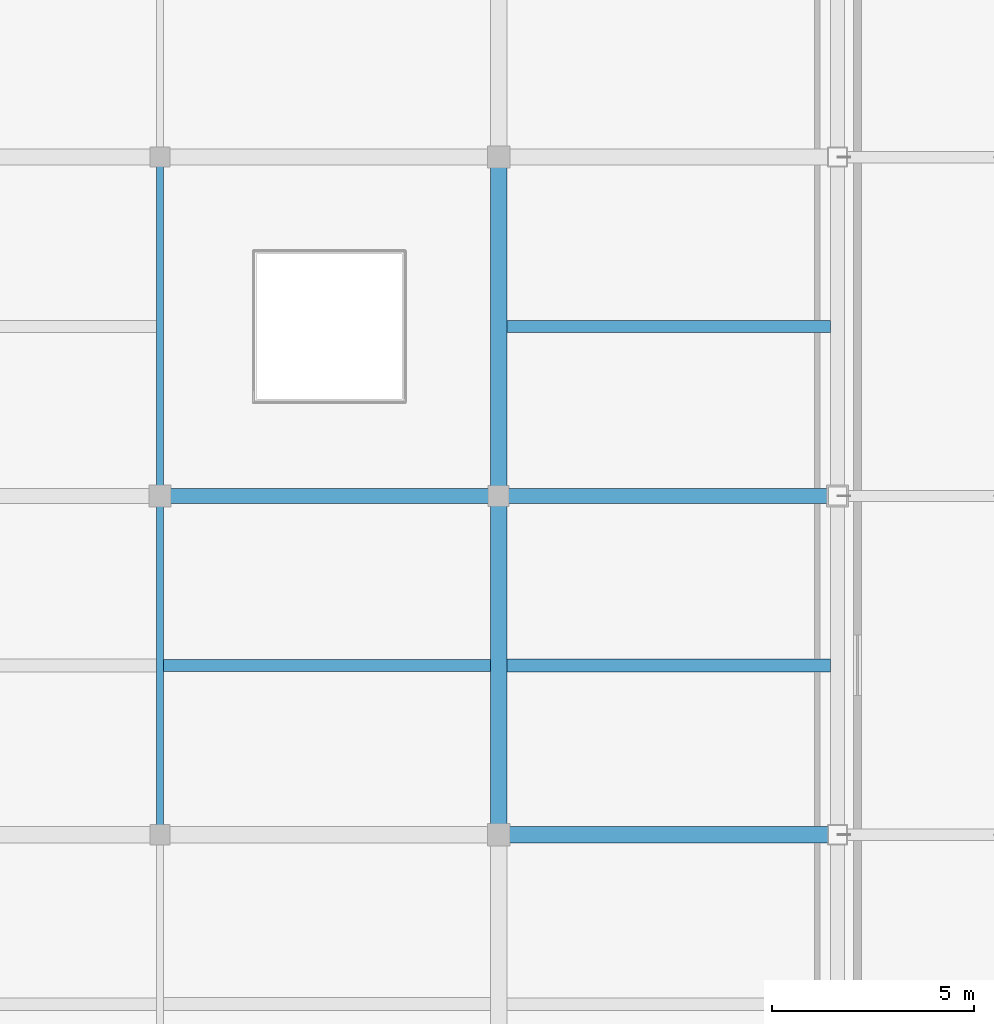
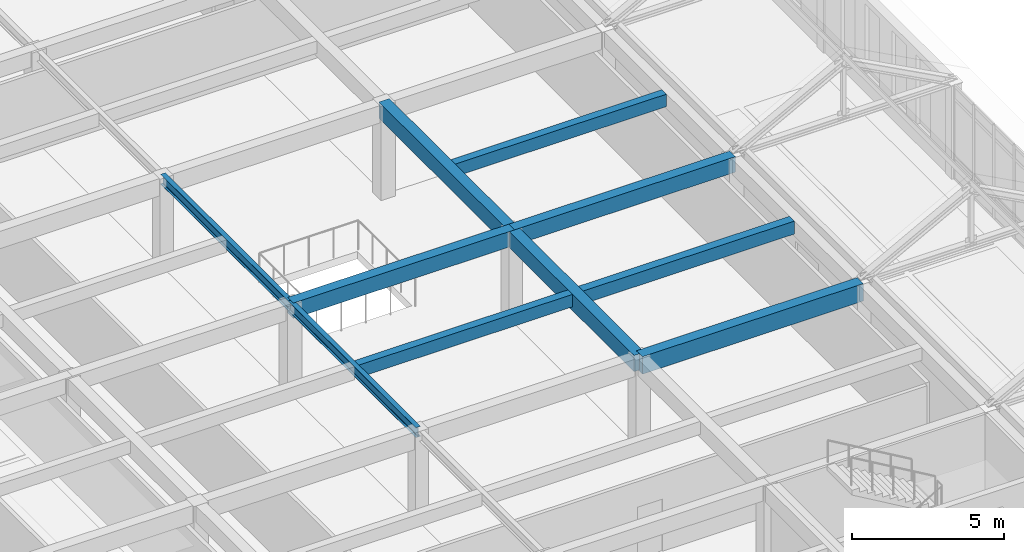
# One storey, part 9 of 36: 10 beams.
"""IFC4 building model written with IfcOpenShell, lengths in metres."""

from ifc_helpers import new_model, si_unit, direction, frame, origin, origin_2d, place, context, subcontext, project, spatial, rectangle, i_section, extrude, material, material_profile, profile_set, type_object, element, save


model = new_model("IFC4")

# Units and contexts
model_context = context("Model", 3, precision=1e-05, world=origin(), true_north=direction((0.0, 1.0)))
body_context = subcontext(model_context, "Body", "Model", "MODEL_VIEW")
ifc_project = project(units=[si_unit("LENGTHUNIT", "METRE"), si_unit("AREAUNIT", "SQUARE_METRE"), si_unit("VOLUMEUNIT", "CUBIC_METRE"), si_unit("PLANEANGLEUNIT", "RADIAN"), si_unit("MASSUNIT", "GRAM", prefix="KILO")], contexts=[model_context])

# Site, building, storey
site_placement = place(None, origin())
site = spatial("IfcSite", under=ifc_project, at=site_placement, CompositionType="ELEMENT")
building_placement = place(site_placement, origin())
building = spatial("IfcBuilding", under=site, at=building_placement, Name="Kveldsbrygga Polytechnic", CompositionType="ELEMENT")
storey_placement = place(building_placement, frame((0.0, 0.0, 22.10009765625)))
storey = spatial("IfcBuildingStorey", under=building, at=storey_placement, Name="L05", CompositionType="ELEMENT", Elevation=22.10009765625)

# Beams
ifc_material_1 = material(Name="Concrete C35/45", Category="concrete")
ifc_material_profile_1 = material_profile(ifc_material_1, rectangle(XDim=0.3798828125, YDim=0.6201171875, at=origin_2d()), Name="RC 380x620")
ifc_profile_set_1 = profile_set([ifc_material_profile_1], Name="Concrete C35/45")
beam_type_1 = type_object("IfcBeamType", Name="BM-RC-380x620", PredefinedType="BEAM", material=ifc_profile_set_1)
beam_1_placement = place(storey_placement, frame((142.800048828125, 58.800048828125, 3.469970703125), z_axis=(1.0, 0.0, 0.0), x_axis=(0.0, 1.0, 0.0)))
element("IfcBeam", 1, at=beam_1_placement, inside=storey, type_object=beam_type_1, Name="Primary Beam BMX-L05-17to18-07", PredefinedType="BEAM", context=body_context, shape_type="SweptSolid", body=[
    extrude(rectangle(XDim=0.3798828125, YDim=0.6201171875, at=origin_2d()), origin(), (0.0, 0.0, 1.0), 8.39990234375),
])
beam_2_placement = place(storey_placement, frame((151.199951171875, 58.800048828125, 3.469970703125), z_axis=(1.0, 0.0, 0.0), x_axis=(0.0, 1.0, 0.0)))
element("IfcBeam", 2, at=beam_2_placement, inside=storey, type_object=beam_type_1, Name="Primary Beam BMX-L05-18to19-07", PredefinedType="BEAM", context=body_context, shape_type="SweptSolid", body=[
    extrude(rectangle(XDim=0.3798828125, YDim=0.6201171875, at=origin_2d()), origin(), (0.0, 0.0, 1.0), 8.400146484375),
])
ifc_material_profile_2 = material_profile(ifc_material_1, rectangle(XDim=0.39990234375, YDim=0.64990234375, at=origin_2d()), Name="RC 400x650")
ifc_profile_set_2 = profile_set([ifc_material_profile_2], Name="Concrete C35/45")
beam_type_2 = type_object("IfcBeamType", Name="BM-RC-400x650", PredefinedType="BEAM", material=ifc_profile_set_2)
beam_3_placement = place(storey_placement, frame((151.199951171875, 50.39990234375, 3.454833984375), z_axis=(0.0, 1.0, 0.0), x_axis=(-1.0, 0.0, 0.0)))
element("IfcBeam", 3, at=beam_3_placement, inside=storey, type_object=beam_type_2, Name="Primary Beam BMY-L05-18-06to07", PredefinedType="BEAM", context=body_context, shape_type="SweptSolid", body=[
    extrude(rectangle(XDim=0.39990234375, YDim=0.64990234375, at=origin_2d()), origin(), (0.0, 0.0, 1.0), 8.400146484375),
])
beam_4_placement = place(storey_placement, frame((151.199951171875, 58.800048828125, 3.454833984375), z_axis=(0.0, 1.0, 0.0), x_axis=(-1.0, 0.0, 0.0)))
element("IfcBeam", 4, at=beam_4_placement, inside=storey, type_object=beam_type_2, Name="Primary Beam BMY-L05-18-07to08", PredefinedType="BEAM", context=body_context, shape_type="SweptSolid", body=[
    extrude(rectangle(XDim=0.39990234375, YDim=0.64990234375, at=origin_2d()), origin(), (0.0, 0.0, 1.0), 8.39990234375),
])
ifc_material_profile_3 = material_profile(ifc_material_1, rectangle(XDim=0.39990234375, YDim=0.699951171875, at=origin_2d()), Name="RC 400x700")
ifc_profile_set_3 = profile_set([ifc_material_profile_3], Name="Concrete C35/45")
beam_type_3 = type_object("IfcBeamType", Name="BM-RC-400x700", PredefinedType="BEAM", material=ifc_profile_set_3)
beam_5_placement = place(storey_placement, frame((151.199951171875, 50.39990234375, 3.429931640625), z_axis=(1.0, 0.0, 0.0), x_axis=(0.0, 1.0, 0.0)))
element("IfcBeam", 5, at=beam_5_placement, inside=storey, type_object=beam_type_3, Name="Primary Beam BMX-L05-18to19-06", PredefinedType="BEAM", context=body_context, shape_type="SweptSolid", body=[
    extrude(rectangle(XDim=0.39990234375, YDim=0.699951171875, at=origin_2d()), origin(), (0.0, 0.0, 1.0), 8.400146484375),
])
ifc_material_2 = material(Name="Steel S355", Category="steel")
ifc_material_profile_4 = material_profile(ifc_material_2, i_section(OverallWidth=0.179931640625, OverallDepth=0.39990234375, WebThickness=0.008544921875, FlangeThickness=0.013427734375, FilletRadius=0.02099609375, at=origin_2d()), Name="IPE 400")
ifc_profile_set_4 = profile_set([ifc_material_profile_4], Name="Steel S355")
beam_type_4 = type_object("IfcBeamType", Name="BM-STL-IPE400", PredefinedType="BEAM", material=ifc_profile_set_4)
beam_6_placement = place(storey_placement, frame((142.800048828125, 50.39990234375, 3.579833984375), z_axis=(0.0, 1.0, 0.0), x_axis=(-1.0, 0.0, 0.0)))
element("IfcBeam", 6, at=beam_6_placement, inside=storey, type_object=beam_type_4, Name="Primary Beam BMY-L05-17-06to07", PredefinedType="BEAM", context=body_context, shape_type="SweptSolid", body=[
    extrude(i_section(OverallWidth=0.179931640625, OverallDepth=0.39990234375, WebThickness=0.008544921875, FlangeThickness=0.013427734375, FilletRadius=0.02099609375, at=origin_2d()), origin(), (0.0, 0.0, 1.0), 8.400146484375),
])
beam_7_placement = place(storey_placement, frame((142.800048828125, 58.800048828125, 3.579833984375), z_axis=(0.0, 1.0, 0.0), x_axis=(-1.0, 0.0, 0.0)))
element("IfcBeam", 7, at=beam_7_placement, inside=storey, type_object=beam_type_4, Name="Primary Beam BMY-L05-17-07to08", PredefinedType="BEAM", context=body_context, shape_type="SweptSolid", body=[
    extrude(i_section(OverallWidth=0.179931640625, OverallDepth=0.39990234375, WebThickness=0.008544921875, FlangeThickness=0.013427734375, FilletRadius=0.02099609375, at=origin_2d()), origin(), (0.0, 0.0, 1.0), 8.39990234375),
])
ifc_material_profile_5 = material_profile(ifc_material_1, rectangle(XDim=0.300048828125, YDim=0.5, at=origin_2d()), Name="RC 300x500")
ifc_profile_set_5 = profile_set([ifc_material_profile_5], Name="Concrete C35/45")
beam_type_5 = type_object("IfcBeamType", Name="JST-RC-300x500", PredefinedType="JOIST", material=ifc_profile_set_5)
beam_8_placement = place(storey_placement, frame((142.889892578125, 54.60009765625, 3.52978515625), z_axis=(1.0, 0.0, 0.0), x_axis=(0.0, 1.0, 0.0)))
element("IfcBeam", 8, at=beam_8_placement, inside=storey, type_object=beam_type_5, Name="Secondary Joist JST-L05-17-06", PredefinedType="JOIST", context=body_context, shape_type="SweptSolid", body=[
    extrude(rectangle(XDim=0.300048828125, YDim=0.5, at=origin_2d()), origin(), (0.0, 0.0, 1.0), 8.110107421875),
])
beam_9_placement = place(storey_placement, frame((151.39990234375, 63.0, 3.52978515625), z_axis=(1.0, 0.0, 0.0), x_axis=(0.0, 1.0, 0.0)))
element("IfcBeam", 9, at=beam_9_placement, inside=storey, type_object=beam_type_5, Name="Secondary Joist JST-L05-18-07", PredefinedType="JOIST", context=body_context, shape_type="SweptSolid", body=[
    extrude(rectangle(XDim=0.300048828125, YDim=0.5, at=origin_2d()), origin(), (0.0, 0.0, 1.0), 8.025146484375),
])
ifc_material_profile_6 = material_profile(ifc_material_1, rectangle(XDim=0.320068359375, YDim=0.52001953125, at=origin_2d()), Name="RC 320x520")
ifc_profile_set_6 = profile_set([ifc_material_profile_6], Name="Concrete C35/45")
beam_type_6 = type_object("IfcBeamType", Name="JST-RC-320x520", PredefinedType="JOIST", material=ifc_profile_set_6)
beam_10_placement = place(storey_placement, frame((151.39990234375, 54.60009765625, 3.52001953125), z_axis=(1.0, 0.0, 0.0), x_axis=(0.0, 1.0, 0.0)))
element("IfcBeam", 10, at=beam_10_placement, inside=storey, type_object=beam_type_6, Name="Secondary Joist JST-L05-18-06", PredefinedType="JOIST", context=body_context, shape_type="SweptSolid", body=[
    extrude(rectangle(XDim=0.320068359375, YDim=0.52001953125, at=origin_2d()), origin(), (0.0, 0.0, 1.0), 8.025146484375),
])

save(model, "model.ifc")
